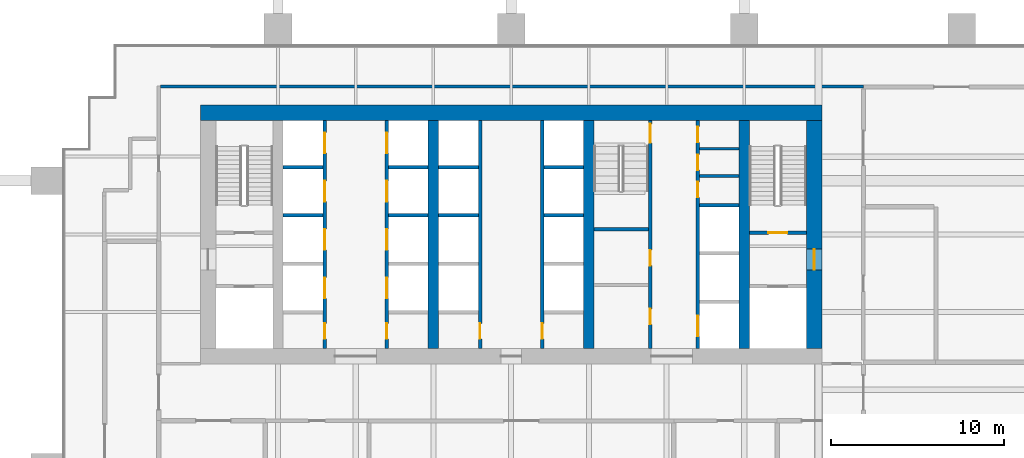
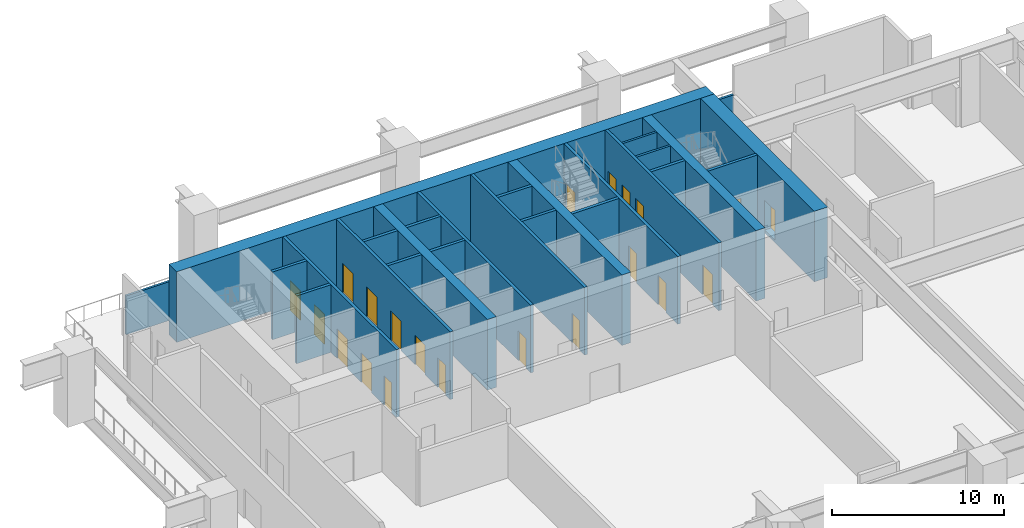
# One storey, part 4 of 9: 25 walls, 21 doors, 21 openings.
"""IFC4 building model written with IfcOpenShell, lengths in metres."""

from ifc_helpers import new_model, si_unit, direction, frame, frame_2d, origin, place, context, subcontext, project, spatial, rectangle, extrude, material, layer, layer_set, type_object, element, fill, save


model = new_model("IFC4")

# Units and contexts
model_context = context("Model", 3, precision=1e-05, world=origin(), true_north=direction((0.0, 1.0)))
body_context = subcontext(model_context, "Body", "Model", "MODEL_VIEW")
ifc_project = project(units=[si_unit("LENGTHUNIT", "METRE"), si_unit("AREAUNIT", "SQUARE_METRE"), si_unit("VOLUMEUNIT", "CUBIC_METRE"), si_unit("PLANEANGLEUNIT", "RADIAN"), si_unit("MASSUNIT", "GRAM", prefix="KILO")], contexts=[model_context])

# Site, building, storey
site_placement = place(None, origin())
site = spatial("IfcSite", under=ifc_project, at=site_placement, CompositionType="ELEMENT")
building_placement = place(site_placement, origin())
building = spatial("IfcBuilding", under=site, at=building_placement, Name="Rattan Terrace Tower", CompositionType="ELEMENT")
storey_placement = place(building_placement, frame((0.0, 0.0, 115.699951171875)))
storey = spatial("IfcBuildingStorey", under=building, at=storey_placement, Name="L26", CompositionType="ELEMENT", Elevation=115.699951171875)

# Walls
ifc_material_1 = material(Name="Gypsum board partition")
ifc_layer_1 = layer(ifc_material_1, 0.14990234375)
ifc_layer_set_1 = layer_set([ifc_layer_1], Name="Core partition 150")
wall_type_1 = type_object("IfcWallType", Name="Core partition 150", PredefinedType="PARTITIONING", material=ifc_layer_set_1)
for number, where, z_axis, x_axis, name in (
    (1, (10.89990234375, 3.384033203125, 0.0), (0.0, 0.0, 1.0), (1.0, 0.0, 0.0), "Riser room wall"),
    (2, (10.89990234375, 4.968017578125, 0.0), (0.0, 0.0, 1.0), (1.0, 0.0, 0.0), "Riser room wall"),
):
    element("IfcWall", number, at=place(storey_placement, frame(where, z_axis=z_axis, x_axis=x_axis)), inside=storey, type_object=wall_type_1, Name=name, PredefinedType="PARTITIONING", context=body_context, shape_type="SweptSolid", body=[
        extrude(rectangle(XDim=2.300048828125, YDim=0.14990234375, at=frame_2d((1.14990234375, 0.0))), origin(), (0.0, 0.0, 1.0), 4.800048828125),
    ])

# Wall, opening, door
ifc_material_2 = material(Name="Gypsum board partition")
ifc_layer_2 = layer(ifc_material_2, 0.199951171875)
ifc_layer_set_2 = layer_set([ifc_layer_2], Name="Core partition 200")
wall_type_2 = type_object("IfcWallType", Name="Core partition 200", PredefinedType="PARTITIONING", material=ifc_layer_set_2)
wall_1_placement = place(storey_placement, frame((13.800048828125, 0.10009765625, 0.0), z_axis=(0.0, 0.0, 1.0), x_axis=(1.0, 0.0, 0.0)))
wall_1 = element("IfcWall", 3, at=wall_1_placement, inside=storey, type_object=wall_type_2, Name="Stair enclosure wall", PredefinedType="PARTITIONING", context=body_context, shape_type="SweptSolid", body=[
    extrude(rectangle(XDim=3.300048828125, YDim=0.199951171875, at=frame_2d((1.64990234375, 0.0))), origin(), (0.0, 0.0, 1.0), 4.800048828125),
])
opening_1_placement = place(wall_1_placement, frame((1.10009765625, 0.0, 0.0)))
opening_1 = element("IfcOpeningElement", 4, at=opening_1_placement, cuts=wall_1, Name="Opening L26-D004", PredefinedType="OPENING", context=body_context, shape_type="SweptSolid", body=[
    extrude(rectangle(XDim=1.10009765625, YDim=2.10009765625, at=frame_2d((0.550048828125, 1.050048828125))), frame((0.0, 0.110595703125, 0.0), z_axis=(0.0, -1.0, 0.0), x_axis=(1.0, 0.0, 0.0)), (0.0, 0.0, 1.0), 0.220947265625),
])
ifc_material_3 = material(Name="Hollow-metal fire door leaf")
door_type_1 = type_object("IfcDoorType", Name="Core stair door 1100", OperationType="NOTDEFINED", PredefinedType="DOOR", material=ifc_material_3)
door_1_placement = place(opening_1_placement, origin())
door_1 = element("IfcDoor", 5, at=door_1_placement, inside=storey, type_object=door_type_1, Name="Door L26-D004", OperationType="SINGLE_SWING_LEFT", OverallHeight=2.10009765625, OverallWidth=1.10009765625, PredefinedType="DOOR", context=body_context, shape_type="SweptSolid", body=[
    extrude(rectangle(XDim=1.10009765625, YDim=2.10009765625, at=frame_2d((0.550048828125, 1.050048828125))), frame((0.0, 0.02490234375, 0.0), z_axis=(0.0, -1.0, 0.0), x_axis=(1.0, 0.0, 0.0)), (0.0, 0.0, 1.0), 0.050048828125),
])
fill(opening_1, door_1)

# Wall, openings, doors
wall_2_placement = place(storey_placement, frame((8.050048828125, -6.60009765625, 0.0), z_axis=(0.0, 0.0, 1.0), x_axis=(0.0, 1.0, 0.0)))
wall_2 = element("IfcWall", 6, at=wall_2_placement, inside=storey, type_object=wall_type_2, Name="Lobby wall west", PredefinedType="PARTITIONING", context=body_context, shape_type="SweptSolid", body=[
    extrude(rectangle(XDim=13.2001953125, YDim=0.199951171875, at=frame_2d((6.60009765625, 0.0))), origin(), (0.0, 0.0, 1.0), 4.800048828125),
])
opening_2_placement = place(wall_2_placement, frame((1.385986328125, 0.0, 0.0)))
opening_2 = element("IfcOpeningElement", 7, at=opening_2_placement, cuts=wall_2, Name="Opening L26-D011", PredefinedType="OPENING", context=body_context, shape_type="SweptSolid", body=[
    extrude(rectangle(XDim=0.89990234375, YDim=2.10009765625, at=frame_2d((0.449951171875, 1.050048828125))), frame((0.0, 0.110595703125, 0.0), z_axis=(0.0, -1.0, 0.0), x_axis=(1.0, 0.0, 0.0)), (0.0, 0.0, 1.0), 0.220947265625),
])
opening_3_placement = place(wall_2_placement, frame((4.785888671875, 0.0, 0.0)))
opening_3 = element("IfcOpeningElement", 8, at=opening_3_placement, cuts=wall_2, Name="Opening L26-D012", PredefinedType="OPENING", context=body_context, shape_type="SweptSolid", body=[
    extrude(rectangle(XDim=0.89990234375, YDim=2.10009765625, at=frame_2d((0.449951171875, 1.050048828125))), frame((0.0, 0.110595703125, 0.0), z_axis=(0.0, -1.0, 0.0), x_axis=(1.0, 0.0, 0.0)), (0.0, 0.0, 1.0), 0.220947265625),
])
opening_4_placement = place(wall_2_placement, frame((11.89990234375, 0.0, 0.0)))
opening_4 = element("IfcOpeningElement", 9, at=opening_4_placement, cuts=wall_2, Name="Opening L26-D013", PredefinedType="OPENING", context=body_context, shape_type="SweptSolid", body=[
    extrude(rectangle(XDim=1.10009765625, YDim=2.10009765625, at=frame_2d((0.550048828125, 1.050048828125))), frame((0.0, 0.110595703125, 0.0), z_axis=(0.0, -1.0, 0.0), x_axis=(1.0, 0.0, 0.0)), (0.0, 0.0, 1.0), 0.220947265625),
])
door_2_placement = place(opening_4_placement, origin())
door_2 = element("IfcDoor", 10, at=door_2_placement, inside=storey, type_object=door_type_1, Name="Door L26-D013", OperationType="SINGLE_SWING_LEFT", OverallHeight=2.10009765625, OverallWidth=1.10009765625, PredefinedType="DOOR", context=body_context, shape_type="SweptSolid", body=[
    extrude(rectangle(XDim=1.10009765625, YDim=2.10009765625, at=frame_2d((0.550048828125, 1.050048828125))), frame((0.0, 0.02490234375, 0.0), z_axis=(0.0, -1.0, 0.0), x_axis=(1.0, 0.0, 0.0)), (0.0, 0.0, 1.0), 0.050048828125),
])
fill(opening_4, door_2)
ifc_material_4 = material(Name="Hollow-metal fire door leaf")
door_type_2 = type_object("IfcDoorType", Name="Core toilet door 900", OperationType="NOTDEFINED", PredefinedType="DOOR", material=ifc_material_4)
door_3_placement = place(opening_2_placement, origin())
door_3 = element("IfcDoor", 11, at=door_3_placement, inside=storey, type_object=door_type_2, Name="Door L26-D011", OperationType="SINGLE_SWING_LEFT", OverallHeight=2.10009765625, OverallWidth=0.89990234375, PredefinedType="DOOR", context=body_context, shape_type="SweptSolid", body=[
    extrude(rectangle(XDim=0.89990234375, YDim=2.10009765625, at=frame_2d((0.449951171875, 1.050048828125))), frame((0.0, 0.02490234375, 0.0), z_axis=(0.0, -1.0, 0.0), x_axis=(1.0, 0.0, 0.0)), (0.0, 0.0, 1.0), 0.050048828125),
])
fill(opening_2, door_3)
door_4_placement = place(opening_3_placement, origin())
door_4 = element("IfcDoor", 12, at=door_4_placement, inside=storey, type_object=door_type_2, Name="Door L26-D012", OperationType="SINGLE_SWING_RIGHT", OverallHeight=2.10009765625, OverallWidth=0.89990234375, PredefinedType="DOOR", context=body_context, shape_type="SweptSolid", body=[
    extrude(rectangle(XDim=0.89990234375, YDim=2.10009765625, at=frame_2d((0.449951171875, 1.050048828125))), frame((0.0, 0.02490234375, 0.0), z_axis=(0.0, -1.0, 0.0), x_axis=(1.0, 0.0, 0.0)), (0.0, 0.0, 1.0), 0.050048828125),
])
fill(opening_3, door_4)

# Walls
wall_3_placement = place(storey_placement, frame((4.800048828125, 0.300048828125, 0.0), z_axis=(0.0, 0.0, 1.0), x_axis=(1.0, 0.0, 0.0)))
element("IfcWall", 13, at=wall_3_placement, inside=storey, type_object=wall_type_2, Name="Stair enclosure wall", PredefinedType="PARTITIONING", context=body_context, shape_type="SweptSolid", body=[
    extrude(rectangle(XDim=3.14990234375, YDim=0.199951171875, at=frame_2d((1.574951171875, 0.0))), origin(), (0.0, 0.0, 1.0), 4.800048828125),
])
ifc_material_5 = material(Name="Concrete C70/85", Category="concrete")
ifc_layer_3 = layer(ifc_material_5, 0.89990234375)
ifc_layer_set_3 = layer_set([ifc_layer_3], Name="Core ring wall 900 C70/85")
wall_type_3 = type_object("IfcWallType", Name="Core ring wall 900 C70/85", PredefinedType="SHEAR", material=ifc_layer_set_3)
wall_4_placement = place(storey_placement, frame((-18.0, 7.050048828125, -0.199951171875), z_axis=(0.0, 0.0, 1.0), x_axis=(1.0, 0.0, 0.0)))
element("IfcWall", 14, at=wall_4_placement, inside=storey, type_object=wall_type_3, Name="Rear core wall north", PredefinedType="SHEAR", context=body_context, shape_type="SweptSolid", body=[
    extrude(rectangle(XDim=36.0, YDim=0.89990234375, at=frame_2d((18.0, 0.0))), origin(), (0.0, 0.0, 1.0), 5.0),
])

# Wall, opening, door
wall_5_placement = place(storey_placement, frame((17.550048828125, -6.60009765625, -0.199951171875), z_axis=(0.0, 0.0, 1.0), x_axis=(0.0, 1.0, 0.0)))
wall_5 = element("IfcWall", 15, at=wall_5_placement, inside=storey, type_object=wall_type_3, Name="Rear core wall east", PredefinedType="SHEAR", context=body_context, shape_type="SweptSolid", body=[
    extrude(rectangle(XDim=13.2001953125, YDim=0.89990234375, at=frame_2d((6.60009765625, 0.0))), origin(), (0.0, 0.0, 1.0), 5.0),
])
opening_5_placement = place(wall_5_placement, frame((4.550048828125, 0.0, 0.199951171875)))
opening_5 = element("IfcOpeningElement", 16, at=opening_5_placement, cuts=wall_5, Name="Opening L26-D003", PredefinedType="OPENING", context=body_context, shape_type="SweptSolid", body=[
    extrude(rectangle(XDim=1.199951171875, YDim=2.10009765625, at=frame_2d((0.60009765625, 1.050048828125))), frame((0.0, 0.46044921875, 0.0), z_axis=(0.0, -1.0, 0.0), x_axis=(1.0, 0.0, 0.0)), (0.0, 0.0, 1.0), 0.9208984375),
])
ifc_material_6 = material(Name="Hollow-metal fire door leaf")
door_type_3 = type_object("IfcDoorType", Name="Core fire-fighting lobby door 1200", OperationType="NOTDEFINED", PredefinedType="DOOR", material=ifc_material_6)
door_5_placement = place(opening_5_placement, origin())
door_5 = element("IfcDoor", 17, at=door_5_placement, inside=storey, type_object=door_type_3, Name="Door L26-D003", OperationType="SINGLE_SWING_RIGHT", OverallHeight=2.10009765625, OverallWidth=1.199951171875, PredefinedType="DOOR", context=body_context, shape_type="SweptSolid", body=[
    extrude(rectangle(XDim=1.199951171875, YDim=2.10009765625, at=frame_2d((0.60009765625, 1.050048828125))), frame((0.0, 0.02490234375, 0.0), z_axis=(0.0, -1.0, 0.0), x_axis=(1.0, 0.0, 0.0)), (0.0, 0.0, 1.0), 0.050048828125),
])
fill(opening_5, door_5)

# Walls
ifc_material_7 = material(Name="Concrete C70/85", Category="concrete")
ifc_layer_4 = layer(ifc_material_7, 0.60009765625)
ifc_layer_set_4 = layer_set([ifc_layer_4], Name="Core spine wall 600 C70/85")
wall_type_4 = type_object("IfcWallType", Name="Core spine wall 600 C70/85", PredefinedType="SHEAR", material=ifc_layer_set_4)
for number, where, z_axis, x_axis, name in (
    (18, (-4.5, -6.60009765625, -0.199951171875), (0.0, 0.0, 1.0), (0.0, 1.0, 0.0), "Core spine wall 2"),
    (19, (4.5, -6.60009765625, -0.199951171875), (0.0, 0.0, 1.0), (0.0, 1.0, 0.0), "Core spine wall 3"),
    (20, (13.5, -6.60009765625, -0.199951171875), (0.0, 0.0, 1.0), (0.0, 1.0, 0.0), "Core spine wall 4"),
):
    element("IfcWall", number, at=place(storey_placement, frame(where, z_axis=z_axis, x_axis=x_axis)), inside=storey, type_object=wall_type_4, Name=name, PredefinedType="SHEAR", context=body_context, shape_type="SweptSolid", body=[
        extrude(rectangle(XDim=13.2001953125, YDim=0.60009765625, at=frame_2d((6.60009765625, 0.0))), origin(), (0.0, 0.0, 1.0), 5.0),
    ])
ifc_material_8 = material(Name="Gypsum board partition on steel studs, fire rated", Category="steel")
ifc_layer_5 = layer(ifc_material_8, 0.14990234375)
ifc_layer_set_5 = layer_set([ifc_layer_5], Name="Floors Tenancy Wall 150")
wall_type_5 = type_object("IfcWallType", Name="Floors Tenancy Wall 150", PredefinedType="PARTITIONING", material=ifc_layer_set_5)
wall_6_placement = place(storey_placement, frame((-20.300048828125, 8.56396484375, 0.0), z_axis=(0.0, 0.0, 1.0), x_axis=(1.0, 0.0, 0.0)))
element("IfcWall", 21, at=wall_6_placement, inside=storey, type_object=wall_type_5, Name="pt-L26-014", PredefinedType="PARTITIONING", context=body_context, shape_type="SweptSolid", body=[
    extrude(rectangle(XDim=40.699951171875, YDim=0.14990234375, at=frame_2d((20.35009765625, 0.0))), origin(), (0.0, 0.0, 1.0), 2.75),
])

# Wall, openings, doors
ifc_material_9 = material(Name="Gypsum shaft wall system")
ifc_layer_6 = layer(ifc_material_9, 0.199951171875)
ifc_layer_set_6 = layer_set([ifc_layer_6], Name="Lift shaft wall 200")
wall_type_6 = type_object("IfcWallType", Name="Lift shaft wall 200", PredefinedType="PARTITIONING", material=ifc_layer_set_6)
wall_7_placement = place(storey_placement, frame((-10.800048828125, -6.60009765625, 0.0), z_axis=(0.0, 0.0, 1.0), x_axis=(0.0, 1.0, 0.0)))
wall_7 = element("IfcWall", 22, at=wall_7_placement, inside=storey, type_object=wall_type_6, Name="Lift shaft front wall", PredefinedType="PARTITIONING", context=body_context, shape_type="SweptSolid", body=[
    extrude(rectangle(XDim=13.2001953125, YDim=0.199951171875, at=frame_2d((6.60009765625, 0.0))), origin(), (0.0, 0.0, 1.0), 4.800048828125),
])
opening_6_placement = place(wall_7_placement, frame((0.550048828125, 0.0, 0.0)))
opening_6 = element("IfcOpeningElement", 23, at=opening_6_placement, cuts=wall_7, Name="Opening L26-D005", PredefinedType="OPENING", context=body_context, shape_type="SweptSolid", body=[
    extrude(rectangle(XDim=0.89990234375, YDim=2.10009765625, at=frame_2d((0.449951171875, 1.050048828125))), frame((0.0, 0.110595703125, 0.0), z_axis=(0.0, -1.0, 0.0), x_axis=(1.0, 0.0, 0.0)), (0.0, 0.0, 1.0), 0.220947265625),
])
opening_7_placement = place(wall_7_placement, frame((2.89990234375, 0.0, 0.0)))
opening_7 = element("IfcOpeningElement", 24, at=opening_7_placement, cuts=wall_7, Name="Opening L26-LD-LR1", PredefinedType="OPENING", context=body_context, shape_type="SweptSolid", body=[
    extrude(rectangle(XDim=1.199951171875, YDim=2.10009765625, at=frame_2d((0.60009765625, 1.050048828125))), frame((0.0, 0.110595703125, 0.0), z_axis=(0.0, -1.0, 0.0), x_axis=(1.0, 0.0, 0.0)), (0.0, 0.0, 1.0), 0.220947265625),
])
opening_8_placement = place(wall_7_placement, frame((5.699951171875, 0.0, 0.0)))
opening_8 = element("IfcOpeningElement", 25, at=opening_8_placement, cuts=wall_7, Name="Opening L26-LD-LR2", PredefinedType="OPENING", context=body_context, shape_type="SweptSolid", body=[
    extrude(rectangle(XDim=1.199951171875, YDim=2.10009765625, at=frame_2d((0.60009765625, 1.050048828125))), frame((0.0, 0.110595703125, 0.0), z_axis=(0.0, -1.0, 0.0), x_axis=(1.0, 0.0, 0.0)), (0.0, 0.0, 1.0), 0.220947265625),
])
opening_9_placement = place(wall_7_placement, frame((8.5, 0.0, 0.0)))
opening_9 = element("IfcOpeningElement", 26, at=opening_9_placement, cuts=wall_7, Name="Opening L26-LD-LR3", PredefinedType="OPENING", context=body_context, shape_type="SweptSolid", body=[
    extrude(rectangle(XDim=1.199951171875, YDim=2.10009765625, at=frame_2d((0.60009765625, 1.050048828125))), frame((0.0, 0.110595703125, 0.0), z_axis=(0.0, -1.0, 0.0), x_axis=(1.0, 0.0, 0.0)), (0.0, 0.0, 1.0), 0.220947265625),
])
opening_10_placement = place(wall_7_placement, frame((11.300048828125, 0.0, 0.0)))
opening_10 = element("IfcOpeningElement", 27, at=opening_10_placement, cuts=wall_7, Name="Opening L26-LD-LR4", PredefinedType="OPENING", context=body_context, shape_type="SweptSolid", body=[
    extrude(rectangle(XDim=1.199951171875, YDim=2.10009765625, at=frame_2d((0.60009765625, 1.050048828125))), frame((0.0, 0.110595703125, 0.0), z_axis=(0.0, -1.0, 0.0), x_axis=(1.0, 0.0, 0.0)), (0.0, 0.0, 1.0), 0.220947265625),
])
ifc_material_10 = material(Name="Brushed stainless landing door panel")
door_type_4 = type_object("IfcDoorType", Name="Core lift landing door 1200", OperationType="DOUBLE_DOOR_SLIDING", PredefinedType="DOOR", material=ifc_material_10)
door_6_placement = place(opening_7_placement, origin())
door_6 = element("IfcDoor", 28, at=door_6_placement, inside=storey, type_object=door_type_4, Name="Door L26-LD-LR1", OperationType="DOUBLE_DOOR_SLIDING", OverallHeight=2.10009765625, OverallWidth=1.199951171875, PredefinedType="DOOR", context=body_context, shape_type="SweptSolid", body=[
    extrude(rectangle(XDim=1.199951171875, YDim=2.10009765625, at=frame_2d((0.60009765625, 1.050048828125))), frame((0.0, 0.02490234375, 0.0), z_axis=(0.0, -1.0, 0.0), x_axis=(1.0, 0.0, 0.0)), (0.0, 0.0, 1.0), 0.050048828125),
])
fill(opening_7, door_6)
door_7_placement = place(opening_8_placement, origin())
door_7 = element("IfcDoor", 29, at=door_7_placement, inside=storey, type_object=door_type_4, Name="Door L26-LD-LR2", OperationType="DOUBLE_DOOR_SLIDING", OverallHeight=2.10009765625, OverallWidth=1.199951171875, PredefinedType="DOOR", context=body_context, shape_type="SweptSolid", body=[
    extrude(rectangle(XDim=1.199951171875, YDim=2.10009765625, at=frame_2d((0.60009765625, 1.050048828125))), frame((0.0, 0.02490234375, 0.0), z_axis=(0.0, -1.0, 0.0), x_axis=(1.0, 0.0, 0.0)), (0.0, 0.0, 1.0), 0.050048828125),
])
fill(opening_8, door_7)
door_8_placement = place(opening_9_placement, origin())
door_8 = element("IfcDoor", 30, at=door_8_placement, inside=storey, type_object=door_type_4, Name="Door L26-LD-LR3", OperationType="DOUBLE_DOOR_SLIDING", OverallHeight=2.10009765625, OverallWidth=1.199951171875, PredefinedType="DOOR", context=body_context, shape_type="SweptSolid", body=[
    extrude(rectangle(XDim=1.199951171875, YDim=2.10009765625, at=frame_2d((0.60009765625, 1.050048828125))), frame((0.0, 0.02490234375, 0.0), z_axis=(0.0, -1.0, 0.0), x_axis=(1.0, 0.0, 0.0)), (0.0, 0.0, 1.0), 0.050048828125),
])
fill(opening_9, door_8)
door_9_placement = place(opening_10_placement, origin())
door_9 = element("IfcDoor", 31, at=door_9_placement, inside=storey, type_object=door_type_4, Name="Door L26-LD-LR4", OperationType="DOUBLE_DOOR_SLIDING", OverallHeight=2.10009765625, OverallWidth=1.199951171875, PredefinedType="DOOR", context=body_context, shape_type="SweptSolid", body=[
    extrude(rectangle(XDim=1.199951171875, YDim=2.10009765625, at=frame_2d((0.60009765625, 1.050048828125))), frame((0.0, 0.02490234375, 0.0), z_axis=(0.0, -1.0, 0.0), x_axis=(1.0, 0.0, 0.0)), (0.0, 0.0, 1.0), 0.050048828125),
])
fill(opening_10, door_9)
ifc_material_11 = material(Name="Hollow-metal fire door leaf")
door_type_5 = type_object("IfcDoorType", Name="Core riser door 900", OperationType="NOTDEFINED", PredefinedType="DOOR", material=ifc_material_11)
door_10_placement = place(opening_6_placement, origin())
door_10 = element("IfcDoor", 32, at=door_10_placement, inside=storey, type_object=door_type_5, Name="Door L26-D005", OperationType="SINGLE_SWING_RIGHT", OverallHeight=2.10009765625, OverallWidth=0.89990234375, PredefinedType="DOOR", context=body_context, shape_type="SweptSolid", body=[
    extrude(rectangle(XDim=0.89990234375, YDim=2.10009765625, at=frame_2d((0.449951171875, 1.050048828125))), frame((0.0, 0.02490234375, 0.0), z_axis=(0.0, -1.0, 0.0), x_axis=(1.0, 0.0, 0.0)), (0.0, 0.0, 1.0), 0.050048828125),
])
fill(opening_6, door_10)

wall_8_placement = place(storey_placement, frame((-7.199951171875, -6.60009765625, 0.0), z_axis=(0.0, 0.0, 1.0), x_axis=(0.0, 1.0, 0.0)))
wall_8 = element("IfcWall", 33, at=wall_8_placement, inside=storey, type_object=wall_type_6, Name="Lift shaft front wall", PredefinedType="PARTITIONING", context=body_context, shape_type="SweptSolid", body=[
    extrude(rectangle(XDim=13.2001953125, YDim=0.199951171875, at=frame_2d((6.60009765625, 0.0))), origin(), (0.0, 0.0, 1.0), 4.800048828125),
])
opening_11_placement = place(wall_8_placement, frame((0.550048828125, 0.0, 0.0)))
opening_11 = element("IfcOpeningElement", 34, at=opening_11_placement, cuts=wall_8, Name="Opening L26-D006", PredefinedType="OPENING", context=body_context, shape_type="SweptSolid", body=[
    extrude(rectangle(XDim=0.89990234375, YDim=2.10009765625, at=frame_2d((0.449951171875, 1.050048828125))), frame((0.0, 0.110595703125, 0.0), z_axis=(0.0, -1.0, 0.0), x_axis=(1.0, 0.0, 0.0)), (0.0, 0.0, 1.0), 0.220947265625),
])
opening_12_placement = place(wall_8_placement, frame((2.89990234375, 0.0, 0.0)))
opening_12 = element("IfcOpeningElement", 35, at=opening_12_placement, cuts=wall_8, Name="Opening L26-LD-LR5", PredefinedType="OPENING", context=body_context, shape_type="SweptSolid", body=[
    extrude(rectangle(XDim=1.199951171875, YDim=2.10009765625, at=frame_2d((0.60009765625, 1.050048828125))), frame((0.0, 0.110595703125, 0.0), z_axis=(0.0, -1.0, 0.0), x_axis=(1.0, 0.0, 0.0)), (0.0, 0.0, 1.0), 0.220947265625),
])
opening_13_placement = place(wall_8_placement, frame((5.699951171875, 0.0, 0.0)))
opening_13 = element("IfcOpeningElement", 36, at=opening_13_placement, cuts=wall_8, Name="Opening L26-LD-LR6", PredefinedType="OPENING", context=body_context, shape_type="SweptSolid", body=[
    extrude(rectangle(XDim=1.199951171875, YDim=2.10009765625, at=frame_2d((0.60009765625, 1.050048828125))), frame((0.0, 0.110595703125, 0.0), z_axis=(0.0, -1.0, 0.0), x_axis=(1.0, 0.0, 0.0)), (0.0, 0.0, 1.0), 0.220947265625),
])
opening_14_placement = place(wall_8_placement, frame((8.5, 0.0, 0.0)))
opening_14 = element("IfcOpeningElement", 37, at=opening_14_placement, cuts=wall_8, Name="Opening L26-LD-LR7", PredefinedType="OPENING", context=body_context, shape_type="SweptSolid", body=[
    extrude(rectangle(XDim=1.199951171875, YDim=2.10009765625, at=frame_2d((0.60009765625, 1.050048828125))), frame((0.0, 0.110595703125, 0.0), z_axis=(0.0, -1.0, 0.0), x_axis=(1.0, 0.0, 0.0)), (0.0, 0.0, 1.0), 0.220947265625),
])
opening_15_placement = place(wall_8_placement, frame((11.300048828125, 0.0, 0.0)))
opening_15 = element("IfcOpeningElement", 38, at=opening_15_placement, cuts=wall_8, Name="Opening L26-LD-LR8", PredefinedType="OPENING", context=body_context, shape_type="SweptSolid", body=[
    extrude(rectangle(XDim=1.199951171875, YDim=2.10009765625, at=frame_2d((0.60009765625, 1.050048828125))), frame((0.0, 0.110595703125, 0.0), z_axis=(0.0, -1.0, 0.0), x_axis=(1.0, 0.0, 0.0)), (0.0, 0.0, 1.0), 0.220947265625),
])
door_11_placement = place(opening_12_placement, origin())
door_11 = element("IfcDoor", 39, at=door_11_placement, inside=storey, type_object=door_type_4, Name="Door L26-LD-LR5", OperationType="DOUBLE_DOOR_SLIDING", OverallHeight=2.10009765625, OverallWidth=1.199951171875, PredefinedType="DOOR", context=body_context, shape_type="SweptSolid", body=[
    extrude(rectangle(XDim=1.199951171875, YDim=2.10009765625, at=frame_2d((0.60009765625, 1.050048828125))), frame((0.0, 0.02490234375, 0.0), z_axis=(0.0, -1.0, 0.0), x_axis=(1.0, 0.0, 0.0)), (0.0, 0.0, 1.0), 0.050048828125),
])
fill(opening_12, door_11)
door_12_placement = place(opening_13_placement, origin())
door_12 = element("IfcDoor", 40, at=door_12_placement, inside=storey, type_object=door_type_4, Name="Door L26-LD-LR6", OperationType="DOUBLE_DOOR_SLIDING", OverallHeight=2.10009765625, OverallWidth=1.199951171875, PredefinedType="DOOR", context=body_context, shape_type="SweptSolid", body=[
    extrude(rectangle(XDim=1.199951171875, YDim=2.10009765625, at=frame_2d((0.60009765625, 1.050048828125))), frame((0.0, 0.02490234375, 0.0), z_axis=(0.0, -1.0, 0.0), x_axis=(1.0, 0.0, 0.0)), (0.0, 0.0, 1.0), 0.050048828125),
])
fill(opening_13, door_12)
door_13_placement = place(opening_14_placement, origin())
door_13 = element("IfcDoor", 41, at=door_13_placement, inside=storey, type_object=door_type_4, Name="Door L26-LD-LR7", OperationType="DOUBLE_DOOR_SLIDING", OverallHeight=2.10009765625, OverallWidth=1.199951171875, PredefinedType="DOOR", context=body_context, shape_type="SweptSolid", body=[
    extrude(rectangle(XDim=1.199951171875, YDim=2.10009765625, at=frame_2d((0.60009765625, 1.050048828125))), frame((0.0, 0.02490234375, 0.0), z_axis=(0.0, -1.0, 0.0), x_axis=(1.0, 0.0, 0.0)), (0.0, 0.0, 1.0), 0.050048828125),
])
fill(opening_14, door_13)
door_14_placement = place(opening_15_placement, origin())
door_14 = element("IfcDoor", 42, at=door_14_placement, inside=storey, type_object=door_type_4, Name="Door L26-LD-LR8", OperationType="DOUBLE_DOOR_SLIDING", OverallHeight=2.10009765625, OverallWidth=1.199951171875, PredefinedType="DOOR", context=body_context, shape_type="SweptSolid", body=[
    extrude(rectangle(XDim=1.199951171875, YDim=2.10009765625, at=frame_2d((0.60009765625, 1.050048828125))), frame((0.0, 0.02490234375, 0.0), z_axis=(0.0, -1.0, 0.0), x_axis=(1.0, 0.0, 0.0)), (0.0, 0.0, 1.0), 0.050048828125),
])
fill(opening_15, door_14)
door_15_placement = place(opening_11_placement, origin())
door_15 = element("IfcDoor", 43, at=door_15_placement, inside=storey, type_object=door_type_5, Name="Door L26-D006", OperationType="SINGLE_SWING_LEFT", OverallHeight=2.10009765625, OverallWidth=0.89990234375, PredefinedType="DOOR", context=body_context, shape_type="SweptSolid", body=[
    extrude(rectangle(XDim=0.89990234375, YDim=2.10009765625, at=frame_2d((0.449951171875, 1.050048828125))), frame((0.0, 0.02490234375, 0.0), z_axis=(0.0, -1.0, 0.0), x_axis=(1.0, 0.0, 0.0)), (0.0, 0.0, 1.0), 0.050048828125),
])
fill(opening_11, door_15)

# Walls
for number, where, z_axis, x_axis, name in (
    (44, (-13.199951171875, 1.10009765625, 0.0), (0.0, 0.0, 1.0), (1.0, 0.0, 0.0), "Lift shaft wall"),
    (45, (-13.199951171875, 3.89990234375, 0.0), (0.0, 0.0, 1.0), (1.0, 0.0, 0.0), "Lift shaft wall"),
    (46, (-7.10009765625, 1.10009765625, 0.0), (0.0, 0.0, 1.0), (1.0, 0.0, 0.0), "Lift shaft wall"),
    (47, (-7.10009765625, 3.89990234375, 0.0), (0.0, 0.0, 1.0), (1.0, 0.0, 0.0), "Lift shaft wall"),
):
    element("IfcWall", number, at=place(storey_placement, frame(where, z_axis=z_axis, x_axis=x_axis)), inside=storey, type_object=wall_type_6, Name=name, PredefinedType="PARTITIONING", context=body_context, shape_type="SweptSolid", body=[
        extrude(rectangle(XDim=2.300048828125, YDim=0.199951171875, at=frame_2d((1.14990234375, 0.0))), origin(), (0.0, 0.0, 1.0), 4.800048828125),
    ])

# Wall, opening, door
wall_9_placement = place(storey_placement, frame((-1.800048828125, -6.60009765625, 0.0), z_axis=(0.0, 0.0, 1.0), x_axis=(0.0, 1.0, 0.0)))
wall_9 = element("IfcWall", 48, at=wall_9_placement, inside=storey, type_object=wall_type_6, Name="Lift shaft front wall", PredefinedType="PARTITIONING", context=body_context, shape_type="SweptSolid", body=[
    extrude(rectangle(XDim=13.2001953125, YDim=0.199951171875, at=frame_2d((6.60009765625, 0.0))), origin(), (0.0, 0.0, 1.0), 4.800048828125),
])
opening_16_placement = place(wall_9_placement, frame((0.550048828125, 0.0, 0.0)))
opening_16 = element("IfcOpeningElement", 49, at=opening_16_placement, cuts=wall_9, Name="Opening L26-D008", PredefinedType="OPENING", context=body_context, shape_type="SweptSolid", body=[
    extrude(rectangle(XDim=0.89990234375, YDim=2.10009765625, at=frame_2d((0.449951171875, 1.050048828125))), frame((0.0, 0.110595703125, 0.0), z_axis=(0.0, -1.0, 0.0), x_axis=(1.0, 0.0, 0.0)), (0.0, 0.0, 1.0), 0.220947265625),
])
door_16_placement = place(opening_16_placement, origin())
door_16 = element("IfcDoor", 50, at=door_16_placement, inside=storey, type_object=door_type_5, Name="Door L26-D008", OperationType="SINGLE_SWING_RIGHT", OverallHeight=2.10009765625, OverallWidth=0.89990234375, PredefinedType="DOOR", context=body_context, shape_type="SweptSolid", body=[
    extrude(rectangle(XDim=0.89990234375, YDim=2.10009765625, at=frame_2d((0.449951171875, 1.050048828125))), frame((0.0, 0.02490234375, 0.0), z_axis=(0.0, -1.0, 0.0), x_axis=(1.0, 0.0, 0.0)), (0.0, 0.0, 1.0), 0.050048828125),
])
fill(opening_16, door_16)

wall_10_placement = place(storey_placement, frame((1.800048828125, -6.60009765625, 0.0), z_axis=(0.0, 0.0, 1.0), x_axis=(0.0, 1.0, 0.0)))
wall_10 = element("IfcWall", 51, at=wall_10_placement, inside=storey, type_object=wall_type_6, Name="Lift shaft front wall", PredefinedType="PARTITIONING", context=body_context, shape_type="SweptSolid", body=[
    extrude(rectangle(XDim=13.2001953125, YDim=0.199951171875, at=frame_2d((6.60009765625, 0.0))), origin(), (0.0, 0.0, 1.0), 4.800048828125),
])
opening_17_placement = place(wall_10_placement, frame((0.550048828125, 0.0, 0.0)))
opening_17 = element("IfcOpeningElement", 52, at=opening_17_placement, cuts=wall_10, Name="Opening L26-D009", PredefinedType="OPENING", context=body_context, shape_type="SweptSolid", body=[
    extrude(rectangle(XDim=0.89990234375, YDim=2.10009765625, at=frame_2d((0.449951171875, 1.050048828125))), frame((0.0, 0.110595703125, 0.0), z_axis=(0.0, -1.0, 0.0), x_axis=(1.0, 0.0, 0.0)), (0.0, 0.0, 1.0), 0.220947265625),
])
door_17_placement = place(opening_17_placement, origin())
door_17 = element("IfcDoor", 53, at=door_17_placement, inside=storey, type_object=door_type_5, Name="Door L26-D009", OperationType="SINGLE_SWING_LEFT", OverallHeight=2.10009765625, OverallWidth=0.89990234375, PredefinedType="DOOR", context=body_context, shape_type="SweptSolid", body=[
    extrude(rectangle(XDim=0.89990234375, YDim=2.10009765625, at=frame_2d((0.449951171875, 1.050048828125))), frame((0.0, 0.02490234375, 0.0), z_axis=(0.0, -1.0, 0.0), x_axis=(1.0, 0.0, 0.0)), (0.0, 0.0, 1.0), 0.050048828125),
])
fill(opening_17, door_17)

# Walls
for number, where, z_axis, x_axis, name in (
    (54, (-4.199951171875, 1.10009765625, 0.0), (0.0, 0.0, 1.0), (1.0, 0.0, 0.0), "Lift shaft wall"),
    (55, (-4.199951171875, 3.89990234375, 0.0), (0.0, 0.0, 1.0), (1.0, 0.0, 0.0), "Lift shaft wall"),
    (56, (1.89990234375, 1.10009765625, 0.0), (0.0, 0.0, 1.0), (1.0, 0.0, 0.0), "Lift shaft wall"),
    (57, (1.89990234375, 3.89990234375, 0.0), (0.0, 0.0, 1.0), (1.0, 0.0, 0.0), "Lift shaft wall"),
):
    element("IfcWall", number, at=place(storey_placement, frame(where, z_axis=z_axis, x_axis=x_axis)), inside=storey, type_object=wall_type_6, Name=name, PredefinedType="PARTITIONING", context=body_context, shape_type="SweptSolid", body=[
        extrude(rectangle(XDim=2.300048828125, YDim=0.199951171875, at=frame_2d((1.14990234375, 0.0))), origin(), (0.0, 0.0, 1.0), 4.800048828125),
    ])

# Wall, openings, doors
wall_11_placement = place(storey_placement, frame((10.800048828125, -6.60009765625, 0.0), z_axis=(0.0, 0.0, 1.0), x_axis=(0.0, 1.0, 0.0)))
wall_11 = element("IfcWall", 58, at=wall_11_placement, inside=storey, type_object=wall_type_6, Name="Lift shaft front wall", PredefinedType="PARTITIONING", context=body_context, shape_type="SweptSolid", body=[
    extrude(rectangle(XDim=13.2001953125, YDim=0.199951171875, at=frame_2d((6.60009765625, 0.0))), origin(), (0.0, 0.0, 1.0), 4.800048828125),
])
opening_18_placement = place(wall_11_placement, frame((0.699951171875, 0.0, 0.0)))
opening_18 = element("IfcOpeningElement", 59, at=opening_18_placement, cuts=wall_11, Name="Opening L26-LD-SV1", PredefinedType="OPENING", context=body_context, shape_type="SweptSolid", body=[
    extrude(rectangle(XDim=1.199951171875, YDim=2.10009765625, at=frame_2d((0.60009765625, 1.050048828125))), frame((0.0, 0.110595703125, 0.0), z_axis=(0.0, -1.0, 0.0), x_axis=(1.0, 0.0, 0.0)), (0.0, 0.0, 1.0), 0.220947265625),
])
opening_19_placement = place(wall_11_placement, frame((8.741943359375, 0.0, 0.0)))
opening_19 = element("IfcOpeningElement", 60, at=opening_19_placement, cuts=wall_11, Name="Opening L26-D015", PredefinedType="OPENING", context=body_context, shape_type="SweptSolid", body=[
    extrude(rectangle(XDim=0.89990234375, YDim=2.10009765625, at=frame_2d((0.449951171875, 1.050048828125))), frame((0.0, 0.110595703125, 0.0), z_axis=(0.0, -1.0, 0.0), x_axis=(1.0, 0.0, 0.0)), (0.0, 0.0, 1.0), 0.220947265625),
])
opening_20_placement = place(wall_11_placement, frame((10.325927734375, 0.0, 0.0)))
opening_20 = element("IfcOpeningElement", 61, at=opening_20_placement, cuts=wall_11, Name="Opening L26-D016", PredefinedType="OPENING", context=body_context, shape_type="SweptSolid", body=[
    extrude(rectangle(XDim=0.89990234375, YDim=2.10009765625, at=frame_2d((0.449951171875, 1.050048828125))), frame((0.0, 0.110595703125, 0.0), z_axis=(0.0, -1.0, 0.0), x_axis=(1.0, 0.0, 0.0)), (0.0, 0.0, 1.0), 0.220947265625),
])
opening_21_placement = place(wall_11_placement, frame((11.93408203125, 0.0, 0.0)))
opening_21 = element("IfcOpeningElement", 62, at=opening_21_placement, cuts=wall_11, Name="Opening L26-D017", PredefinedType="OPENING", context=body_context, shape_type="SweptSolid", body=[
    extrude(rectangle(XDim=0.89990234375, YDim=2.10009765625, at=frame_2d((0.449951171875, 1.050048828125))), frame((0.0, 0.110595703125, 0.0), z_axis=(0.0, -1.0, 0.0), x_axis=(1.0, 0.0, 0.0)), (0.0, 0.0, 1.0), 0.220947265625),
])
door_18_placement = place(opening_18_placement, origin())
door_18 = element("IfcDoor", 63, at=door_18_placement, inside=storey, type_object=door_type_4, Name="Door L26-LD-SV1", OperationType="DOUBLE_DOOR_SLIDING", OverallHeight=2.10009765625, OverallWidth=1.199951171875, PredefinedType="DOOR", context=body_context, shape_type="SweptSolid", body=[
    extrude(rectangle(XDim=1.199951171875, YDim=2.10009765625, at=frame_2d((0.60009765625, 1.050048828125))), frame((0.0, 0.02490234375, 0.0), z_axis=(0.0, -1.0, 0.0), x_axis=(1.0, 0.0, 0.0)), (0.0, 0.0, 1.0), 0.050048828125),
])
fill(opening_18, door_18)
door_19_placement = place(opening_19_placement, origin())
door_19 = element("IfcDoor", 64, at=door_19_placement, inside=storey, type_object=door_type_5, Name="Door L26-D015", OperationType="SINGLE_SWING_RIGHT", OverallHeight=2.10009765625, OverallWidth=0.89990234375, PredefinedType="DOOR", context=body_context, shape_type="SweptSolid", body=[
    extrude(rectangle(XDim=0.89990234375, YDim=2.10009765625, at=frame_2d((0.449951171875, 1.050048828125))), frame((0.0, 0.02490234375, 0.0), z_axis=(0.0, -1.0, 0.0), x_axis=(1.0, 0.0, 0.0)), (0.0, 0.0, 1.0), 0.050048828125),
])
fill(opening_19, door_19)
door_20_placement = place(opening_20_placement, origin())
door_20 = element("IfcDoor", 65, at=door_20_placement, inside=storey, type_object=door_type_5, Name="Door L26-D016", OperationType="SINGLE_SWING_LEFT", OverallHeight=2.10009765625, OverallWidth=0.89990234375, PredefinedType="DOOR", context=body_context, shape_type="SweptSolid", body=[
    extrude(rectangle(XDim=0.89990234375, YDim=2.10009765625, at=frame_2d((0.449951171875, 1.050048828125))), frame((0.0, 0.02490234375, 0.0), z_axis=(0.0, -1.0, 0.0), x_axis=(1.0, 0.0, 0.0)), (0.0, 0.0, 1.0), 0.050048828125),
])
fill(opening_20, door_20)
ifc_material_12 = material(Name="Hollow-metal fire door leaf")
door_type_6 = type_object("IfcDoorType", Name="Core service room door 900", OperationType="NOTDEFINED", PredefinedType="DOOR", material=ifc_material_12)
door_21_placement = place(opening_21_placement, origin())
door_21 = element("IfcDoor", 66, at=door_21_placement, inside=storey, type_object=door_type_6, Name="Door L26-D017", OperationType="SINGLE_SWING_RIGHT", OverallHeight=2.10009765625, OverallWidth=0.89990234375, PredefinedType="DOOR", context=body_context, shape_type="SweptSolid", body=[
    extrude(rectangle(XDim=0.89990234375, YDim=2.10009765625, at=frame_2d((0.449951171875, 1.050048828125))), frame((0.0, 0.02490234375, 0.0), z_axis=(0.0, -1.0, 0.0), x_axis=(1.0, 0.0, 0.0)), (0.0, 0.0, 1.0), 0.050048828125),
])
fill(opening_21, door_21)

# Wall
wall_12_placement = place(storey_placement, frame((10.89990234375, 1.699951171875, 0.0), z_axis=(0.0, 0.0, 1.0), x_axis=(1.0, 0.0, 0.0)))
element("IfcWall", 67, at=wall_12_placement, inside=storey, type_object=wall_type_6, Name="Lift shaft wall", PredefinedType="PARTITIONING", context=body_context, shape_type="SweptSolid", body=[
    extrude(rectangle(XDim=2.300048828125, YDim=0.199951171875, at=frame_2d((1.14990234375, 0.0))), origin(), (0.0, 0.0, 1.0), 4.800048828125),
])

save(model, "model.ifc")
